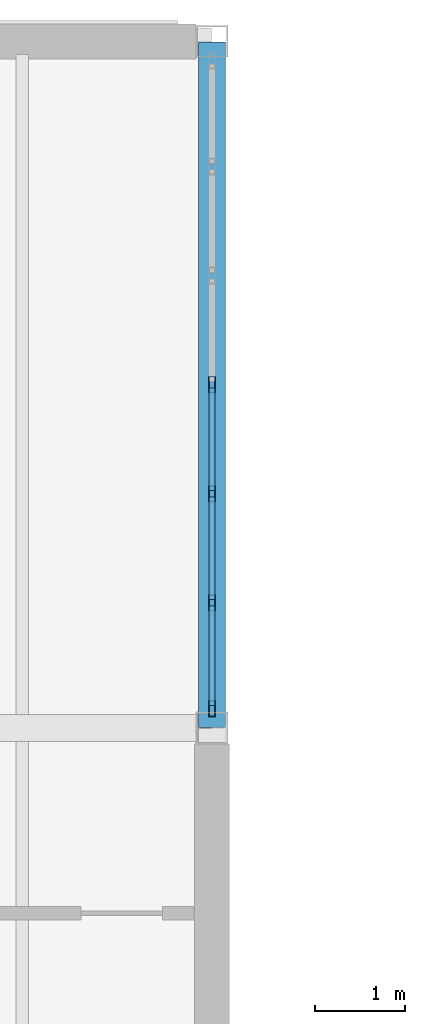
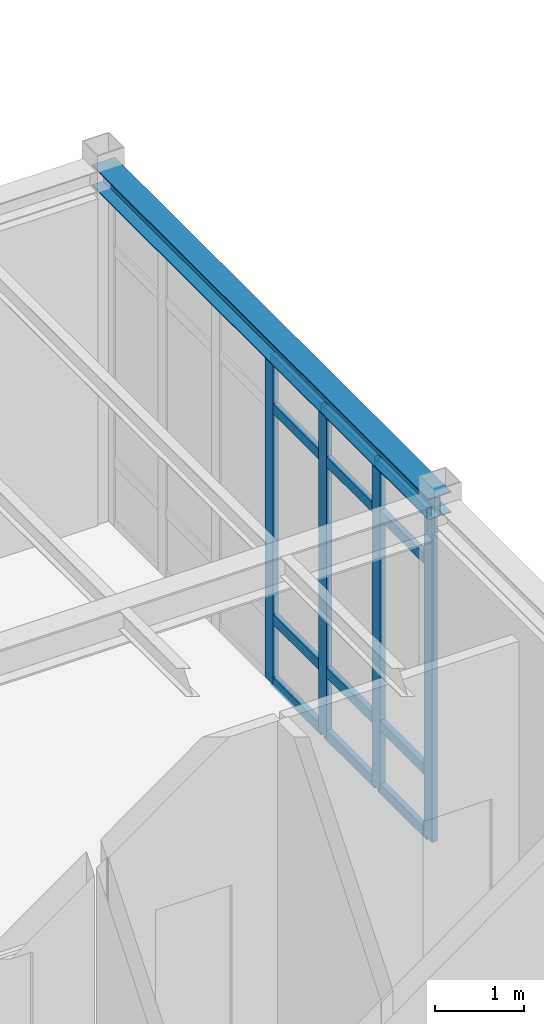
# One storey, part 61 of 109: 16 members, 1 beam, 1 element without a shape of its own.
"""IFC4 building model written with IfcOpenShell, lengths in metres."""

from ifc_helpers import new_model, si_unit, direction, frame, origin, origin_2d, place, context, subcontext, project, spatial, hollow_rectangle, i_section, extrude, material, layer, layer_set, material_profile, profile_set, type_object, element, aggregate, save


model = new_model("IFC4")

# Units and contexts
model_context = context("Model", 3, precision=1e-05, world=origin(), true_north=direction((0.0, 1.0)))
body_context = subcontext(model_context, "Body", "Model", "MODEL_VIEW")
ifc_project = project(units=[si_unit("LENGTHUNIT", "METRE"), si_unit("AREAUNIT", "SQUARE_METRE"), si_unit("VOLUMEUNIT", "CUBIC_METRE"), si_unit("PLANEANGLEUNIT", "RADIAN"), si_unit("MASSUNIT", "GRAM", prefix="KILO")], contexts=[model_context])

# Site, building, storey
site_placement = place(None, origin())
site = spatial("IfcSite", under=ifc_project, at=site_placement, CompositionType="ELEMENT")
building_placement = place(site_placement, origin())
building = spatial("IfcBuilding", under=site, at=building_placement, Name="Montecoro Central Library", CompositionType="ELEMENT")
storey_placement = place(building_placement, origin())
storey = spatial("IfcBuildingStorey", under=building, at=storey_placement, Name="L00", CompositionType="ELEMENT", Elevation=0.0)

# Beam
ifc_material_1 = material(Name="Steel S355", Category="steel")
ifc_material_profile_1 = material_profile(ifc_material_1, i_section(OverallWidth=0.300048828125, OverallDepth=0.2900390625, WebThickness=0.008544921875, FlangeThickness=0.013916015625, at=origin_2d()), Name="HEA 300")
ifc_profile_set_1 = profile_set([ifc_material_profile_1], Name="Steel S355")
beam_type = type_object("IfcBeamType", Name="BM-SP-HEA300", PredefinedType="SPANDREL", material=ifc_profile_set_1)
beam_placement = place(storey_placement, frame((116.800048828125, 111.405029296875, 4.699951171875), z_axis=(0.0, 1.0, 0.0), x_axis=(-1.0, 0.0, 0.0)))
element("IfcBeam", 1, at=beam_placement, inside=storey, type_object=beam_type, Name="V2-L00-BY-15-QR", PredefinedType="SPANDREL", context=body_context, shape_type="SweptSolid", body=[
    extrude(i_section(OverallWidth=0.300048828125, OverallDepth=0.2900390625, WebThickness=0.008544921875, FlangeThickness=0.013916015625, at=origin_2d()), origin(), (0.0, 0.0, 1.0), 7.590087890625),
])

# Curtain wall, members
ifc_material_2 = material(Name="Bronze-anodised aluminium and low-E glazing", Category="aluminium")
ifc_layer = layer(ifc_material_2, 0.159912109375)
ifc_layer_set = layer_set([ifc_layer], Name="Bronze-anodised aluminium and low-E glazing")
curtain_wall_type = type_object("IfcCurtainWallType", Name="CWT-007", PredefinedType="NOTDEFINED", material=ifc_layer_set)
curtain_wall_placement = place(storey_placement, origin())
curtain_wall = element("IfcCurtainWall", 2, at=curtain_wall_placement, inside=storey, type_object=curtain_wall_type, Name="V2-L00-CW-E4", PredefinedType="NOTDEFINED")
ifc_material_3 = material(Name="Bronze-anodised aluminium", Category="aluminium")
ifc_material_profile_2 = material_profile(ifc_material_3, hollow_rectangle(XDim=0.070068359375, YDim=0.179931640625, WallThickness=0.0048828125, at=origin_2d()), Name="CWM 180x70x5.0")
ifc_profile_set_2 = profile_set([ifc_material_profile_2], Name="Bronze-anodised aluminium")
member_type_1 = type_object("IfcMemberType", Name="CWM-BRZ-70", PredefinedType="MULLION", material=ifc_profile_set_2)
member_1_placement = place(storey_placement, frame((116.800048828125, 111.613037109375, 0.0), z_axis=(0.0, 0.0, 1.0), x_axis=(-1.0, 0.0, 0.0)))
member_1 = element("IfcMember", 3, at=member_1_placement, type_object=member_type_1, Name="CW-007 mullion 1", PredefinedType="MULLION", context=body_context, shape_type="SweptSolid", body=[
    extrude(hollow_rectangle(XDim=0.070068359375, YDim=0.179931640625, WallThickness=0.0048828125, at=origin_2d()), origin(), (0.0, 0.0, 1.0), 4.5),
])
member_2_placement = place(storey_placement, frame((116.800048828125, 112.785400390625, 0.0), z_axis=(0.0, 0.0, 1.0), x_axis=(-1.0, 0.0, 0.0)))
member_2 = element("IfcMember", 4, at=member_2_placement, type_object=member_type_1, Name="CW-007 mullion 2", PredefinedType="MULLION", context=body_context, shape_type="SweptSolid", body=[
    extrude(hollow_rectangle(XDim=0.070068359375, YDim=0.179931640625, WallThickness=0.0048828125, at=origin_2d()), origin(), (0.0, 0.0, 1.0), 4.5),
])
member_3_placement = place(storey_placement, frame((116.800048828125, 113.99267578125, 0.0), z_axis=(0.0, 0.0, 1.0), x_axis=(-1.0, 0.0, 0.0)))
member_3 = element("IfcMember", 5, at=member_3_placement, type_object=member_type_1, Name="CW-007 mullion 3", PredefinedType="MULLION", context=body_context, shape_type="SweptSolid", body=[
    extrude(hollow_rectangle(XDim=0.070068359375, YDim=0.179931640625, WallThickness=0.0048828125, at=origin_2d()), origin(), (0.0, 0.0, 1.0), 4.5),
])
member_4_placement = place(storey_placement, frame((116.800048828125, 115.199951171875, 0.0), z_axis=(0.0, 0.0, 1.0), x_axis=(-1.0, 0.0, 0.0)))
member_4 = element("IfcMember", 6, at=member_4_placement, type_object=member_type_1, Name="CW-007 mullion 4", PredefinedType="MULLION", context=body_context, shape_type="SweptSolid", body=[
    extrude(hollow_rectangle(XDim=0.070068359375, YDim=0.179931640625, WallThickness=0.0048828125, at=origin_2d()), origin(), (0.0, 0.0, 1.0), 4.5),
])
ifc_material_profile_3 = material_profile(ifc_material_3, hollow_rectangle(XDim=0.070068359375, YDim=0.139892578125, WallThickness=0.00390625, at=origin_2d()), Name="CWT 140x70x4.0")
ifc_profile_set_3 = profile_set([ifc_material_profile_3], Name="Bronze-anodised aluminium")
member_type_2 = type_object("IfcMemberType", Name="CWT-BRZ-70", PredefinedType="USERDEFINED", material=ifc_profile_set_3)
member_5_placement = place(storey_placement, frame((116.800048828125, 111.64794921875, 0.034912109375), z_axis=(0.0, 1.0, 0.0), x_axis=(-1.0, 0.0, 0.0)))
member_5 = element("IfcMember", 7, at=member_5_placement, type_object=member_type_2, Name="CW-007 transom 1.1", ObjectType="TRANSOM", PredefinedType="USERDEFINED", context=body_context, shape_type="SweptSolid", body=[
    extrude(hollow_rectangle(XDim=0.070068359375, YDim=0.139892578125, WallThickness=0.00390625, at=origin_2d()), origin(), (0.0, 0.0, 1.0), 1.102294921875),
])
member_6_placement = place(storey_placement, frame((116.800048828125, 111.64794921875, 0.89990234375), z_axis=(0.0, 1.0, 0.0), x_axis=(-1.0, 0.0, 0.0)))
member_6 = element("IfcMember", 8, at=member_6_placement, type_object=member_type_2, Name="CW-007 transom 1.2", ObjectType="TRANSOM", PredefinedType="USERDEFINED", context=body_context, shape_type="SweptSolid", body=[
    extrude(hollow_rectangle(XDim=0.070068359375, YDim=0.139892578125, WallThickness=0.00390625, at=origin_2d()), origin(), (0.0, 0.0, 1.0), 1.102294921875),
])
member_7_placement = place(storey_placement, frame((116.800048828125, 111.64794921875, 3.800048828125), z_axis=(0.0, 1.0, 0.0), x_axis=(-1.0, 0.0, 0.0)))
member_7 = element("IfcMember", 9, at=member_7_placement, type_object=member_type_2, Name="CW-007 transom 1.3", ObjectType="TRANSOM", PredefinedType="USERDEFINED", context=body_context, shape_type="SweptSolid", body=[
    extrude(hollow_rectangle(XDim=0.070068359375, YDim=0.139892578125, WallThickness=0.00390625, at=origin_2d()), origin(), (0.0, 0.0, 1.0), 1.102294921875),
])
member_8_placement = place(storey_placement, frame((116.800048828125, 111.64794921875, 4.465087890625), z_axis=(0.0, 1.0, 0.0), x_axis=(-1.0, 0.0, 0.0)))
member_8 = element("IfcMember", 10, at=member_8_placement, type_object=member_type_2, Name="CW-007 transom 1.4", ObjectType="TRANSOM", PredefinedType="USERDEFINED", context=body_context, shape_type="SweptSolid", body=[
    extrude(hollow_rectangle(XDim=0.070068359375, YDim=0.139892578125, WallThickness=0.00390625, at=origin_2d()), origin(), (0.0, 0.0, 1.0), 1.102294921875),
])
member_9_placement = place(storey_placement, frame((116.800048828125, 112.8203125, 0.034912109375), z_axis=(0.0, 1.0, 0.0), x_axis=(-1.0, 0.0, 0.0)))
member_9 = element("IfcMember", 11, at=member_9_placement, type_object=member_type_2, Name="CW-007 transom 2.1", ObjectType="TRANSOM", PredefinedType="USERDEFINED", context=body_context, shape_type="SweptSolid", body=[
    extrude(hollow_rectangle(XDim=0.070068359375, YDim=0.139892578125, WallThickness=0.00390625, at=origin_2d()), origin(), (0.0, 0.0, 1.0), 1.137451171875),
])
member_10_placement = place(storey_placement, frame((116.800048828125, 112.8203125, 0.89990234375), z_axis=(0.0, 1.0, 0.0), x_axis=(-1.0, 0.0, 0.0)))
member_10 = element("IfcMember", 12, at=member_10_placement, type_object=member_type_2, Name="CW-007 transom 2.2", ObjectType="TRANSOM", PredefinedType="USERDEFINED", context=body_context, shape_type="SweptSolid", body=[
    extrude(hollow_rectangle(XDim=0.070068359375, YDim=0.139892578125, WallThickness=0.00390625, at=origin_2d()), origin(), (0.0, 0.0, 1.0), 1.137451171875),
])
member_11_placement = place(storey_placement, frame((116.800048828125, 112.8203125, 3.800048828125), z_axis=(0.0, 1.0, 0.0), x_axis=(-1.0, 0.0, 0.0)))
member_11 = element("IfcMember", 13, at=member_11_placement, type_object=member_type_2, Name="CW-007 transom 2.3", ObjectType="TRANSOM", PredefinedType="USERDEFINED", context=body_context, shape_type="SweptSolid", body=[
    extrude(hollow_rectangle(XDim=0.070068359375, YDim=0.139892578125, WallThickness=0.00390625, at=origin_2d()), origin(), (0.0, 0.0, 1.0), 1.137451171875),
])
member_12_placement = place(storey_placement, frame((116.800048828125, 112.8203125, 4.465087890625), z_axis=(0.0, 1.0, 0.0), x_axis=(-1.0, 0.0, 0.0)))
member_12 = element("IfcMember", 14, at=member_12_placement, type_object=member_type_2, Name="CW-007 transom 2.4", ObjectType="TRANSOM", PredefinedType="USERDEFINED", context=body_context, shape_type="SweptSolid", body=[
    extrude(hollow_rectangle(XDim=0.070068359375, YDim=0.139892578125, WallThickness=0.00390625, at=origin_2d()), origin(), (0.0, 0.0, 1.0), 1.137451171875),
])
member_13_placement = place(storey_placement, frame((116.800048828125, 114.027587890625, 0.034912109375), z_axis=(0.0, 1.0, 0.0), x_axis=(-1.0, 0.0, 0.0)))
member_13 = element("IfcMember", 15, at=member_13_placement, type_object=member_type_2, Name="CW-007 transom 3.1", ObjectType="TRANSOM", PredefinedType="USERDEFINED", context=body_context, shape_type="SweptSolid", body=[
    extrude(hollow_rectangle(XDim=0.070068359375, YDim=0.139892578125, WallThickness=0.00390625, at=origin_2d()), origin(), (0.0, 0.0, 1.0), 1.137451171875),
])
member_14_placement = place(storey_placement, frame((116.800048828125, 114.027587890625, 0.89990234375), z_axis=(0.0, 1.0, 0.0), x_axis=(-1.0, 0.0, 0.0)))
member_14 = element("IfcMember", 16, at=member_14_placement, type_object=member_type_2, Name="CW-007 transom 3.2", ObjectType="TRANSOM", PredefinedType="USERDEFINED", context=body_context, shape_type="SweptSolid", body=[
    extrude(hollow_rectangle(XDim=0.070068359375, YDim=0.139892578125, WallThickness=0.00390625, at=origin_2d()), origin(), (0.0, 0.0, 1.0), 1.137451171875),
])
member_15_placement = place(storey_placement, frame((116.800048828125, 114.027587890625, 3.800048828125), z_axis=(0.0, 1.0, 0.0), x_axis=(-1.0, 0.0, 0.0)))
member_15 = element("IfcMember", 17, at=member_15_placement, type_object=member_type_2, Name="CW-007 transom 3.3", ObjectType="TRANSOM", PredefinedType="USERDEFINED", context=body_context, shape_type="SweptSolid", body=[
    extrude(hollow_rectangle(XDim=0.070068359375, YDim=0.139892578125, WallThickness=0.00390625, at=origin_2d()), origin(), (0.0, 0.0, 1.0), 1.137451171875),
])
member_16_placement = place(storey_placement, frame((116.800048828125, 114.027587890625, 4.465087890625), z_axis=(0.0, 1.0, 0.0), x_axis=(-1.0, 0.0, 0.0)))
member_16 = element("IfcMember", 18, at=member_16_placement, type_object=member_type_2, Name="CW-007 transom 3.4", ObjectType="TRANSOM", PredefinedType="USERDEFINED", context=body_context, shape_type="SweptSolid", body=[
    extrude(hollow_rectangle(XDim=0.070068359375, YDim=0.139892578125, WallThickness=0.00390625, at=origin_2d()), origin(), (0.0, 0.0, 1.0), 1.137451171875),
])
aggregate(curtain_wall, [member_1, member_2, member_3, member_4, member_5, member_6, member_7, member_8, member_9, member_10, member_11, member_12, member_13, member_14, member_15, member_16])

save(model, "model.ifc")
